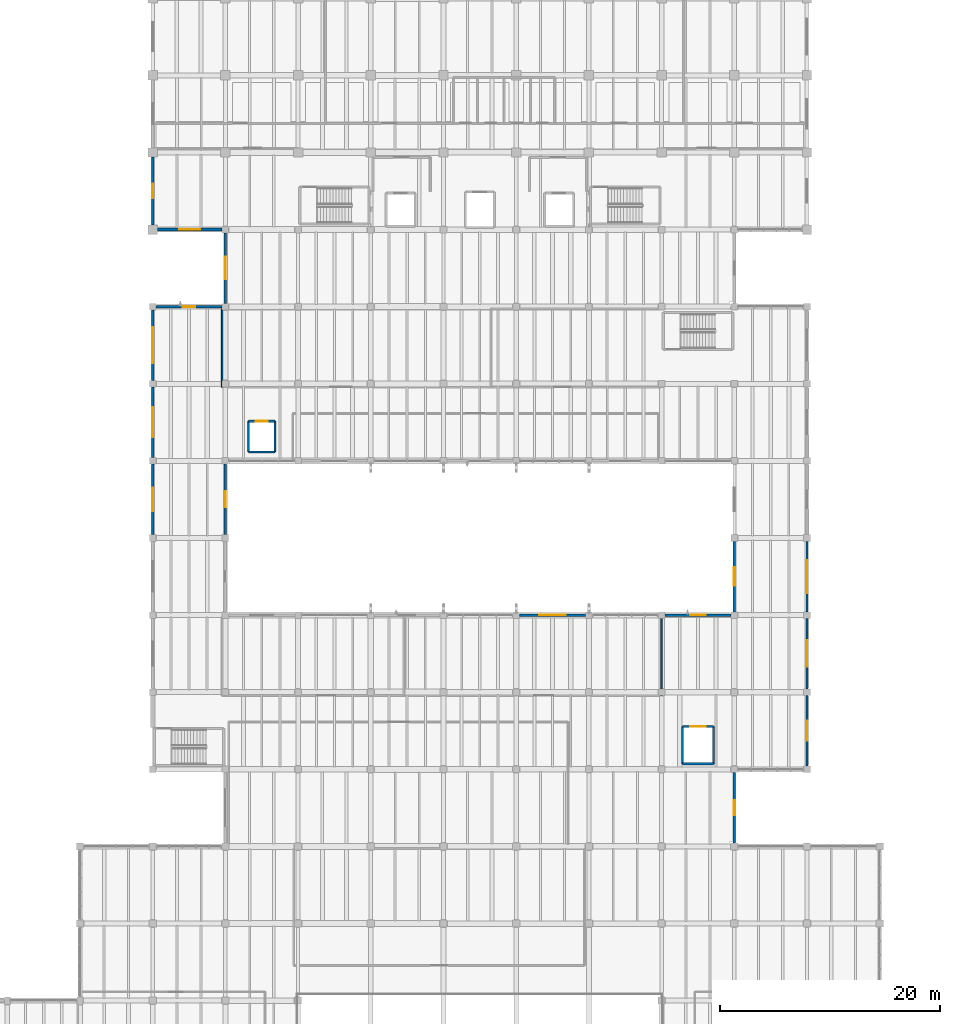
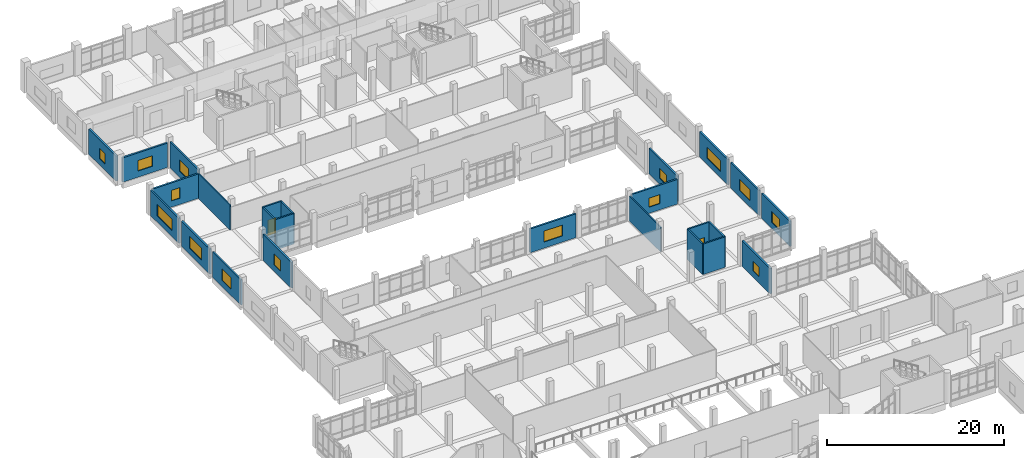
# One storey, part 47 of 68: 25 walls, 15 windows, 2 doors, 17 openings.
"""IFC4 building model written with IfcOpenShell, lengths in metres."""

import ifcopenshell
import ifcopenshell.guid

model = None  # the IFC model being written
_history = None  # IfcOwnerHistory: only IFC2X3 demands one
_inside = {}  # id of a spatial element -> (the spatial element, [elements in it])
_under = {}  # id of a project, library or spatial element -> (it, [spatial elements below it])
_declared = {}  # id of a project -> (the project, [libraries it declares])
_typed = {}  # id of a type object -> (the type object, [elements of that type])
_made_of = {}  # id of a material, layer set ... -> (it, [elements and type objects made of it])


def new_model(schema):
    """Start an empty IFC model of exactly this schema.

    Asked for "IFC4X3", IfcOpenShell would pick the latest addendum, in which some entities
    have other attributes; the version numbers below select the first issue.
    IFC2X3 requires an IfcOwnerHistory on every rooted entity: one is made here for all.
    """
    global model, _history
    if schema == "IFC4X3":
        model = ifcopenshell.file(schema_version=(4, 3, 0, 0))
    else:
        model = ifcopenshell.file(schema=schema)
    _inside.clear()
    _under.clear()
    _declared.clear()
    _typed.clear()
    _made_of.clear()
    _history = None
    if model.schema == "IFC2X3":
        org = make("IfcOrganization", Name="unknown")
        user = make(
            "IfcPersonAndOrganization",
            ThePerson=make("IfcPerson", FamilyName="unknown"),
            TheOrganization=org,
        )
        app = make(
            "IfcApplication",
            ApplicationDeveloper=org,
            Version="unknown",
            ApplicationFullName="unknown",
            ApplicationIdentifier="unknown",
        )
        _history = make(
            "IfcOwnerHistory",
            OwningUser=user,
            OwningApplication=app,
            ChangeAction="ADDED",
            CreationDate=0,
        )
    return model


def make(cls, **values):
    """One entity of the class cls with the attributes given. An attribute that is None is left unset."""
    return model.create_entity(
        cls, **{name: value for name, value in values.items() if value is not None}
    )


def rooted(cls, **values):
    """An entity with a GlobalId (a new one), such as an element, a storey or a relation."""
    return make(cls, GlobalId=ifcopenshell.guid.new(), OwnerHistory=_history, **values)


def si_unit(unit_type, name, prefix=None):
    """IfcSIUnit, for example si_unit("LENGTHUNIT", "METRE", prefix="MILLI")."""
    return make("IfcSIUnit", UnitType=unit_type, Prefix=prefix, Name=name)


def assignment(units):
    """IfcUnitAssignment: the units of a project."""
    return None if units is None else make("IfcUnitAssignment", Units=units)


def point(xyz):
    """IfcCartesianPoint."""
    return None if xyz is None else make("IfcCartesianPoint", Coordinates=xyz)


def direction(xyz):
    """IfcDirection."""
    return None if xyz is None else make("IfcDirection", DirectionRatios=xyz)


def frame(location, z_axis=None, x_axis=None):
    """IfcAxis2Placement3D, a coordinate frame: its origin and axes. An axis left out is left unset."""
    return make(
        "IfcAxis2Placement3D",
        Location=point(location),
        Axis=direction(z_axis),
        RefDirection=direction(x_axis),
    )


def frame_2d(location, x_axis=None):
    """IfcAxis2Placement2D, a coordinate frame in the plane: its origin and x axis."""
    return make(
        "IfcAxis2Placement2D", Location=point(location), RefDirection=direction(x_axis)
    )


def origin():
    """The frame at (0, 0, 0) with its axes left unset."""
    return frame((0.0, 0.0, 0.0))


def place(relative_to, where):
    """IfcLocalPlacement: puts the frame where relative to a parent placement (None: the world)."""
    return make(
        "IfcLocalPlacement", PlacementRelTo=relative_to, RelativePlacement=where
    )


def context(
    kind, dimensions, precision=None, world=None, true_north=None, identifier=None
):
    """IfcGeometricRepresentationContext, for example the 3D "Model" context."""
    return make(
        "IfcGeometricRepresentationContext",
        ContextIdentifier=identifier,
        ContextType=kind,
        CoordinateSpaceDimension=dimensions,
        Precision=precision,
        WorldCoordinateSystem=world,
        TrueNorth=true_north,
    )


def subcontext(parent, identifier, kind, view, scale=None):
    """IfcGeometricRepresentationSubContext, for example "Body" below "Model"."""
    return make(
        "IfcGeometricRepresentationSubContext",
        ContextIdentifier=identifier,
        ContextType=kind,
        ParentContext=parent,
        TargetScale=scale,
        TargetView=view,
    )


def project(units=None, contexts=None):
    """IfcProject with its units and contexts."""
    return rooted(
        "IfcProject",
        Name="project",
        RepresentationContexts=contexts,
        UnitsInContext=assignment(units),
    )


def spatial(cls, under=None, at=None, **own):
    """A site, building, storey or space (cls), placed at a placement, below another one or the project."""
    s = rooted(cls, ObjectPlacement=at, **own)
    if under is not None:
        _under.setdefault(under.id(), (under, []))[1].append(s)
    return s


def profile(cls, at=None, kind="AREA", **sizes):
    """A parametric profile (cls). Its sizes go by their IFC names, for example OverallWidth=200.0."""
    return make(cls, ProfileType=kind, Position=at, **sizes)


def rectangle(**sizes):
    """IfcRectangleProfileDef."""
    return profile("IfcRectangleProfileDef", **sizes)


def extrude(swept, where, along, depth):
    """IfcExtrudedAreaSolid: the profile swept, set in the frame where, extruded along a direction by depth."""
    return make(
        "IfcExtrudedAreaSolid",
        SweptArea=swept,
        Position=where,
        ExtrudedDirection=direction(along),
        Depth=depth,
    )


def shape(context_of_items, identifier, shape_type, items):
    """IfcShapeRepresentation: the items that make up one representation, for example the "Body"."""
    return make(
        "IfcShapeRepresentation",
        ContextOfItems=context_of_items,
        RepresentationIdentifier=identifier,
        RepresentationType=shape_type,
        Items=items,
    )


def material(Name=None, Category=None):
    """IfcMaterial."""
    return make("IfcMaterial", Name=Name, Category=Category)


def layer(
    of_material, thickness, ventilated=None, Name=None, Category=None, Priority=None
):
    """IfcMaterialLayer: one layer of a wall or slab, of a material (None: an air gap)."""
    return make(
        "IfcMaterialLayer",
        Material=of_material,
        LayerThickness=thickness,
        IsVentilated=ventilated,
        Name=Name,
        Category=Category,
        Priority=Priority,
    )


def layer_set(layers, Name=None):
    """IfcMaterialLayerSet."""
    return make("IfcMaterialLayerSet", MaterialLayers=layers, LayerSetName=Name)


def made_of(thing, what):
    """Note that an element or type object is made of a material, layer set ...; save() writes the relation."""
    if what is not None:
        _made_of.setdefault(what.id(), (what, []))[1].append(thing)
    return thing


def type_object(cls, material=None, **own):
    """A type object (cls), such as IfcWallType, which elements share."""
    return made_of(rooted(cls, **own), material)


def element(
    cls,
    number,
    at=None,
    inside=None,
    cuts=None,
    type_object=None,
    material=None,
    context=None,
    identifier="Body",
    shape_type=None,
    held_by="IfcProductDefinitionShape",
    body=None,
    shapes=None,
    **own,
):
    """One element of the class cls, such as IfcWall. Its Tag is "e" and its number.

    at: its placement. inside: the storey or other place that contains it. cuts: it is an
    opening in that element (IfcRelVoidsElement). A single representation is given by context,
    identifier, shape_type and body (its items); several are given by shapes. held_by: the class
    of the entity that holds the representations. save() writes the other relations.
    """
    e = rooted(cls, Tag="e%d" % number, ObjectPlacement=at, **own)
    if body is not None:
        shapes = [shape(context, identifier, shape_type, body)]
    if shapes is not None:
        e.Representation = make(held_by, Representations=shapes)
    if inside is not None:
        _inside.setdefault(inside.id(), (inside, []))[1].append(e)
    if cuts is not None:
        rooted(
            "IfcRelVoidsElement", RelatingBuildingElement=cuts, RelatedOpeningElement=e
        )
    if type_object is not None:
        _typed.setdefault(type_object.id(), (type_object, []))[1].append(e)
    return made_of(e, material)


def fill(opening, filler):
    """IfcRelFillsElement: the door or window that sits in an opening."""
    return rooted(
        "IfcRelFillsElement",
        RelatingOpeningElement=opening,
        RelatedBuildingElement=filler,
    )


def aggregate(whole, parts):
    """IfcRelAggregates: a whole, such as a stair, and the parts it consists of."""
    return rooted("IfcRelAggregates", RelatingObject=whole, RelatedObjects=parts)


def save(model, path):
    """Write the relations noted so far, then the file.

    IfcRelAggregates (storeys below a building ...), IfcRelContainedInSpatialStructure (elements
    in a storey), IfcRelDefinesByType, IfcRelAssociatesMaterial and IfcRelDeclares: one each for
    every whole, place, type object, material and project.
    """
    for whole, parts in _under.values():
        aggregate(whole, parts)
    for where, things in _inside.values():
        rooted(
            "IfcRelContainedInSpatialStructure",
            RelatedElements=things,
            RelatingStructure=where,
        )
    for kind, things in _typed.values():
        rooted("IfcRelDefinesByType", RelatedObjects=things, RelatingType=kind)
    for what, things in _made_of.values():
        rooted("IfcRelAssociatesMaterial", RelatedObjects=things, RelatingMaterial=what)
    for by, libraries in _declared.values():
        rooted("IfcRelDeclares", RelatingContext=by, RelatedDefinitions=libraries)
    model.write(path)


model = new_model("IFC4")

# Units and contexts
model_context = context("Model", 3, precision=1e-05, world=origin(), true_north=direction((0.0, 1.0)))
body_context = subcontext(model_context, "Body", "Model", "MODEL_VIEW")
ifc_project = project(units=[si_unit("LENGTHUNIT", "METRE"), si_unit("AREAUNIT", "SQUARE_METRE"), si_unit("VOLUMEUNIT", "CUBIC_METRE"), si_unit("PLANEANGLEUNIT", "RADIAN"), si_unit("MASSUNIT", "GRAM", prefix="KILO")], contexts=[model_context])

# Site, building, storey
site_placement = place(None, origin())
site = spatial("IfcSite", under=ifc_project, at=site_placement, CompositionType="ELEMENT")
building_placement = place(site_placement, origin())
building = spatial("IfcBuilding", under=site, at=building_placement, Name="Ciguamira Faculty of Natural Sciences", CompositionType="ELEMENT")
storey_placement = place(building_placement, frame((0.0, 0.0, 4.199951171875)))
storey = spatial("IfcBuildingStorey", under=building, at=storey_placement, Name="L01", CompositionType="ELEMENT", Elevation=4.199951171875)

# Wall, opening, window
ifc_material_1 = material(Name="Precast concrete C40/50", Category="concrete")
ifc_layer_1 = layer(ifc_material_1, 0.239990234375, Name="Precast concrete C40/50")
ifc_layer_set_1 = layer_set([ifc_layer_1], Name="Precast concrete C40/50")
wall_type_1 = type_object("IfcWallType", Name="ExtWall_EW-02_240", PredefinedType="SOLIDWALL", material=ifc_layer_set_1)
wall_1_placement = place(storey_placement, frame((57.72509765625, 94.0, 0.0), z_axis=(0.0, 0.0, 1.0), x_axis=(1.0, 0.0, 0.0)))
wall_1 = element("IfcWall", 1, at=wall_1_placement, inside=storey, type_object=wall_type_1, Name="L01 exterior wall 0167", PredefinedType="SOLIDWALL", context=body_context, shape_type="SweptSolid", body=[
    extrude(rectangle(XDim=5.875, YDim=0.239990234375, at=frame_2d((2.9375, 0.0))), origin(), (0.0, 0.0, 1.0), 3.344970703125),
])
opening_1_placement = place(wall_1_placement, frame((1.987548828125, 0.0, 0.85009765625)))
opening_1 = element("IfcOpeningElement", 2, at=opening_1_placement, cuts=wall_1, Name="Opening WT-30", PredefinedType="OPENING", context=body_context, shape_type="SweptSolid", body=[
    extrude(rectangle(XDim=1.89990234375, YDim=1.449951171875, at=frame_2d((0.949951171875, 0.72509765625))), frame((0.0, 0.1298828125, 0.0), z_axis=(0.0, -1.0, 0.0), x_axis=(1.0, 0.0, 0.0)), (0.0, 0.0, 1.0), 0.260009765625),
])
ifc_material_2 = material(Name="Hurricane laminated solar glass", Category="glass")
window_type_1 = type_object("IfcWindowType", Name="Window_WT-30_1900x1450", PartitioningType="DOUBLE_PANEL_VERTICAL", PredefinedType="WINDOW", material=ifc_material_2)
window_1_placement = place(opening_1_placement, origin())
window_1 = element("IfcWindow", 3, at=window_1_placement, inside=storey, type_object=window_type_1, Name="L01 facade window 0083", OverallHeight=1.449951171875, OverallWidth=1.89990234375, PartitioningType="SINGLE_PANEL", PredefinedType="WINDOW", context=body_context, shape_type="SweptSolid", body=[
    extrude(rectangle(XDim=1.89990234375, YDim=1.449951171875, at=frame_2d((0.949951171875, 0.72509765625))), frame((0.0, 0.030029296875, 0.0), z_axis=(0.0, -1.0, 0.0), x_axis=(1.0, 0.0, 0.0)), (0.0, 0.0, 1.0), 0.06005859375),
])
fill(opening_1, window_1)

wall_2_placement = place(storey_placement, frame((57.300048828125, 94.425048828125, 0.0), z_axis=(0.0, 0.0, 1.0), x_axis=(0.0, 1.0, 0.0)))
wall_2 = element("IfcWall", 4, at=wall_2_placement, inside=storey, type_object=wall_type_1, Name="L01 exterior wall 0183", PredefinedType="SOLIDWALL", context=body_context, shape_type="SweptSolid", body=[
    extrude(rectangle(XDim=6.14990234375, YDim=0.239990234375, at=frame_2d((3.074951171875, 0.0))), origin(), (0.0, 0.0, 1.0), 3.465087890625),
])
opening_2_placement = place(wall_2_placement, frame((2.425048828125, 0.0, 0.85009765625)))
opening_2 = element("IfcOpeningElement", 5, at=opening_2_placement, cuts=wall_2, Name="Opening WT-28", PredefinedType="OPENING", context=body_context, shape_type="SweptSolid", body=[
    extrude(rectangle(XDim=1.300048828125, YDim=1.449951171875, at=frame_2d((0.64990234375, 0.72509765625))), frame((0.0, 0.1298828125, 0.0), z_axis=(0.0, -1.0, 0.0), x_axis=(1.0, 0.0, 0.0)), (0.0, 0.0, 1.0), 0.260009765625),
])
window_type_2 = type_object("IfcWindowType", Name="Window_WT-28_1300x1450", PartitioningType="DOUBLE_PANEL_VERTICAL", PredefinedType="WINDOW", material=ifc_material_2)
window_2_placement = place(opening_2_placement, origin())
window_2 = element("IfcWindow", 6, at=window_2_placement, inside=storey, type_object=window_type_2, Name="L01 facade window 0098", OverallHeight=1.449951171875, OverallWidth=1.300048828125, PartitioningType="SINGLE_PANEL", PredefinedType="WINDOW", context=body_context, shape_type="SweptSolid", body=[
    extrude(rectangle(XDim=1.300048828125, YDim=1.449951171875, at=frame_2d((0.64990234375, 0.72509765625))), frame((0.0, 0.030029296875, 0.0), z_axis=(0.0, -1.0, 0.0), x_axis=(1.0, 0.0, 0.0)), (0.0, 0.0, 1.0), 0.06005859375),
])
fill(opening_2, window_2)

ifc_layer_2 = layer(ifc_material_1, 0.219970703125, Name="Precast concrete C40/50")
ifc_layer_set_2 = layer_set([ifc_layer_2], Name="Precast concrete C40/50")
wall_type_2 = type_object("IfcWallType", Name="ExtWall_EW-03_220", PredefinedType="SOLIDWALL", material=ifc_layer_set_2)
wall_3_placement = place(storey_placement, frame((90.60009765625, 59.0, 0.0), z_axis=(0.0, 0.0, 1.0), x_axis=(1.0, 0.0, 0.0)))
wall_3 = element("IfcWall", 7, at=wall_3_placement, inside=storey, type_object=wall_type_2, Name="L01 exterior wall 0161", PredefinedType="SOLIDWALL", context=body_context, shape_type="SweptSolid", body=[
    extrude(rectangle(XDim=6.0, YDim=0.219970703125, at=frame_2d((3.0, 0.0))), origin(), (0.0, 0.0, 1.0), 3.28515625),
])
opening_3_placement = place(wall_3_placement, frame((1.800048828125, 0.0, 0.85009765625)))
opening_3 = element("IfcOpeningElement", 8, at=opening_3_placement, cuts=wall_3, Name="Opening WT-12", PredefinedType="OPENING", context=body_context, shape_type="SweptSolid", body=[
    extrude(rectangle(XDim=2.39990234375, YDim=1.5, at=frame_2d((1.199951171875, 0.75))), frame((0.0, 0.119873046875, 0.0), z_axis=(0.0, -1.0, 0.0), x_axis=(1.0, 0.0, 0.0)), (0.0, 0.0, 1.0), 0.239990234375),
])
window_type_3 = type_object("IfcWindowType", Name="Window_WT-12_2400x1500", PartitioningType="DOUBLE_PANEL_VERTICAL", PredefinedType="WINDOW", material=ifc_material_2)
window_3_placement = place(opening_3_placement, origin())
window_3 = element("IfcWindow", 9, at=window_3_placement, inside=storey, type_object=window_type_3, Name="L01 facade window 0077", OverallHeight=1.5, OverallWidth=2.39990234375, PartitioningType="SINGLE_PANEL", PredefinedType="WINDOW", context=body_context, shape_type="SweptSolid", body=[
    extrude(rectangle(XDim=2.39990234375, YDim=1.5, at=frame_2d((1.199951171875, 0.75))), frame((0.0, 0.030029296875, 0.0), z_axis=(0.0, -1.0, 0.0), x_axis=(1.0, 0.0, 0.0)), (0.0, 0.0, 1.0), 0.06005859375),
])
fill(opening_3, window_3)

wall_4_placement = place(storey_placement, frame((103.800048828125, 59.0, 0.0), z_axis=(0.0, 0.0, 1.0), x_axis=(1.0, 0.0, 0.0)))
wall_4 = element("IfcWall", 10, at=wall_4_placement, inside=storey, type_object=wall_type_2, Name="L01 exterior wall 0162", PredefinedType="SOLIDWALL", context=body_context, shape_type="SweptSolid", body=[
    extrude(rectangle(XDim=6.0, YDim=0.219970703125, at=frame_2d((3.0, 0.0))), origin(), (0.0, 0.0, 1.0), 3.385009765625),
])
opening_4_placement = place(wall_4_placement, frame((2.300048828125, 0.0, 0.85009765625)))
opening_4 = element("IfcOpeningElement", 11, at=opening_4_placement, cuts=wall_4, Name="Opening WT-15", PredefinedType="OPENING", context=body_context, shape_type="SweptSolid", body=[
    extrude(rectangle(XDim=1.39990234375, YDim=1.25, at=frame_2d((0.699951171875, 0.625))), frame((0.0, 0.119873046875, 0.0), z_axis=(0.0, -1.0, 0.0), x_axis=(1.0, 0.0, 0.0)), (0.0, 0.0, 1.0), 0.239990234375),
])
window_type_4 = type_object("IfcWindowType", Name="Window_WT-15_1400x1250", PartitioningType="DOUBLE_PANEL_VERTICAL", PredefinedType="WINDOW", material=ifc_material_2)
window_4_placement = place(opening_4_placement, origin())
window_4 = element("IfcWindow", 12, at=window_4_placement, inside=storey, type_object=window_type_4, Name="L01 facade window 0078", OverallHeight=1.25, OverallWidth=1.39990234375, PartitioningType="SINGLE_PANEL", PredefinedType="WINDOW", context=body_context, shape_type="SweptSolid", body=[
    extrude(rectangle(XDim=1.39990234375, YDim=1.25, at=frame_2d((0.699951171875, 0.625))), frame((0.0, 0.030029296875, 0.0), z_axis=(0.0, -1.0, 0.0), x_axis=(1.0, 0.0, 0.0)), (0.0, 0.0, 1.0), 0.06005859375),
])
fill(opening_4, window_4)

wall_5_placement = place(storey_placement, frame((57.60009765625, 87.0, 0.0), z_axis=(0.0, 0.0, 1.0), x_axis=(1.0, 0.0, 0.0)))
wall_5 = element("IfcWall", 13, at=wall_5_placement, inside=storey, type_object=wall_type_2, Name="L01 exterior wall 0166", PredefinedType="SOLIDWALL", context=body_context, shape_type="SweptSolid", body=[
    extrude(rectangle(XDim=6.0, YDim=0.219970703125, at=frame_2d((3.0, 0.0))), origin(), (0.0, 0.0, 1.0), 3.344970703125),
])
opening_5_placement = place(wall_5_placement, frame((2.449951171875, 0.0, 0.85009765625)))
opening_5 = element("IfcOpeningElement", 14, at=opening_5_placement, cuts=wall_5, Name="Opening WT-27", PredefinedType="OPENING", context=body_context, shape_type="SweptSolid", body=[
    extrude(rectangle(XDim=1.10009765625, YDim=1.449951171875, at=frame_2d((0.550048828125, 0.72509765625))), frame((0.0, 0.119873046875, 0.0), z_axis=(0.0, -1.0, 0.0), x_axis=(1.0, 0.0, 0.0)), (0.0, 0.0, 1.0), 0.239990234375),
])
window_type_5 = type_object("IfcWindowType", Name="Window_WT-27_1100x1450", PartitioningType="DOUBLE_PANEL_VERTICAL", PredefinedType="WINDOW", material=ifc_material_2)
window_5_placement = place(opening_5_placement, origin())
window_5 = element("IfcWindow", 15, at=window_5_placement, inside=storey, type_object=window_type_5, Name="L01 facade window 0082", OverallHeight=1.449951171875, OverallWidth=1.10009765625, PartitioningType="SINGLE_PANEL", PredefinedType="WINDOW", context=body_context, shape_type="SweptSolid", body=[
    extrude(rectangle(XDim=1.10009765625, YDim=1.449951171875, at=frame_2d((0.550048828125, 0.72509765625))), frame((0.0, 0.030029296875, 0.0), z_axis=(0.0, -1.0, 0.0), x_axis=(1.0, 0.0, 0.0)), (0.0, 0.0, 1.0), 0.06005859375),
])
fill(opening_5, window_5)

wall_6_placement = place(storey_placement, frame((57.300048828125, 66.300048828125, 0.0), z_axis=(0.0, 0.0, 1.0), x_axis=(0.0, 1.0, 0.0)))
wall_6 = element("IfcWall", 16, at=wall_6_placement, inside=storey, type_object=wall_type_2, Name="L01 exterior wall 0180", PredefinedType="SOLIDWALL", context=body_context, shape_type="SweptSolid", body=[
    extrude(rectangle(XDim=6.39990234375, YDim=0.219970703125, at=frame_2d((3.199951171875, 0.0))), origin(), (0.0, 0.0, 1.0), 3.465087890625),
])
opening_6_placement = place(wall_6_placement, frame((2.14990234375, 0.0, 0.85009765625)))
opening_6 = element("IfcOpeningElement", 17, at=opening_6_placement, cuts=wall_6, Name="Opening WT-22", PredefinedType="OPENING", context=body_context, shape_type="SweptSolid", body=[
    extrude(rectangle(XDim=2.10009765625, YDim=1.60009765625, at=frame_2d((1.050048828125, 0.800048828125))), frame((0.0, 0.119873046875, 0.0), z_axis=(0.0, -1.0, 0.0), x_axis=(1.0, 0.0, 0.0)), (0.0, 0.0, 1.0), 0.239990234375),
])
window_type_6 = type_object("IfcWindowType", Name="Window_WT-22_2100x1600", PartitioningType="DOUBLE_PANEL_VERTICAL", PredefinedType="WINDOW", material=ifc_material_2)
window_6_placement = place(opening_6_placement, origin())
window_6 = element("IfcWindow", 18, at=window_6_placement, inside=storey, type_object=window_type_6, Name="L01 facade window 0095", OverallHeight=1.60009765625, OverallWidth=2.10009765625, PartitioningType="SINGLE_PANEL", PredefinedType="WINDOW", context=body_context, shape_type="SweptSolid", body=[
    extrude(rectangle(XDim=2.10009765625, YDim=1.60009765625, at=frame_2d((1.050048828125, 0.800048828125))), frame((0.0, 0.030029296875, 0.0), z_axis=(0.0, -1.0, 0.0), x_axis=(1.0, 0.0, 0.0)), (0.0, 0.0, 1.0), 0.06005859375),
])
fill(opening_6, window_6)

wall_7_placement = place(storey_placement, frame((57.300048828125, 73.300048828125, 0.0), z_axis=(0.0, 0.0, 1.0), x_axis=(0.0, 1.0, 0.0)))
wall_7 = element("IfcWall", 19, at=wall_7_placement, inside=storey, type_object=wall_type_2, Name="L01 exterior wall 0181", PredefinedType="SOLIDWALL", context=body_context, shape_type="SweptSolid", body=[
    extrude(rectangle(XDim=6.39990234375, YDim=0.219970703125, at=frame_2d((3.199951171875, 0.0))), origin(), (0.0, 0.0, 1.0), 3.465087890625),
])
opening_7_placement = place(wall_7_placement, frame((1.85009765625, 0.0, 0.85009765625)))
opening_7 = element("IfcOpeningElement", 20, at=opening_7_placement, cuts=wall_7, Name="Opening WT-24", PredefinedType="OPENING", context=body_context, shape_type="SweptSolid", body=[
    extrude(rectangle(XDim=2.699951171875, YDim=1.60009765625, at=frame_2d((1.35009765625, 0.800048828125))), frame((0.0, 0.119873046875, 0.0), z_axis=(0.0, -1.0, 0.0), x_axis=(1.0, 0.0, 0.0)), (0.0, 0.0, 1.0), 0.239990234375),
])
window_type_7 = type_object("IfcWindowType", Name="Window_WT-24_2700x1600", PartitioningType="DOUBLE_PANEL_VERTICAL", PredefinedType="WINDOW", material=ifc_material_2)
window_7_placement = place(opening_7_placement, origin())
window_7 = element("IfcWindow", 21, at=window_7_placement, inside=storey, type_object=window_type_7, Name="L01 facade window 0096", OverallHeight=1.60009765625, OverallWidth=2.699951171875, PartitioningType="SINGLE_PANEL", PredefinedType="WINDOW", context=body_context, shape_type="SweptSolid", body=[
    extrude(rectangle(XDim=2.699951171875, YDim=1.60009765625, at=frame_2d((1.35009765625, 0.800048828125))), frame((0.0, 0.030029296875, 0.0), z_axis=(0.0, -1.0, 0.0), x_axis=(1.0, 0.0, 0.0)), (0.0, 0.0, 1.0), 0.06005859375),
])
fill(opening_7, window_7)

wall_8_placement = place(storey_placement, frame((57.300048828125, 80.300048828125, 0.0), z_axis=(0.0, 0.0, 1.0), x_axis=(0.0, 1.0, 0.0)))
wall_8 = element("IfcWall", 22, at=wall_8_placement, inside=storey, type_object=wall_type_2, Name="L01 exterior wall 0182", PredefinedType="SOLIDWALL", context=body_context, shape_type="SweptSolid", body=[
    extrude(rectangle(XDim=6.39990234375, YDim=0.219970703125, at=frame_2d((3.199951171875, 0.0))), origin(), (0.0, 0.0, 1.0), 3.465087890625),
])
opening_8_placement = place(wall_8_placement, frame((1.550048828125, 0.0, 0.85009765625)))
opening_8 = element("IfcOpeningElement", 23, at=opening_8_placement, cuts=wall_8, Name="Opening WT-26", PredefinedType="OPENING", context=body_context, shape_type="SweptSolid", body=[
    extrude(rectangle(XDim=3.300048828125, YDim=1.60009765625, at=frame_2d((1.64990234375, 0.800048828125))), frame((0.0, 0.119873046875, 0.0), z_axis=(0.0, -1.0, 0.0), x_axis=(1.0, 0.0, 0.0)), (0.0, 0.0, 1.0), 0.239990234375),
])
window_type_8 = type_object("IfcWindowType", Name="Window_WT-26_3300x1600", PartitioningType="DOUBLE_PANEL_VERTICAL", PredefinedType="WINDOW", material=ifc_material_2)
window_8_placement = place(opening_8_placement, origin())
window_8 = element("IfcWindow", 24, at=window_8_placement, inside=storey, type_object=window_type_8, Name="L01 facade window 0097", OverallHeight=1.60009765625, OverallWidth=3.300048828125, PartitioningType="SINGLE_PANEL", PredefinedType="WINDOW", context=body_context, shape_type="SweptSolid", body=[
    extrude(rectangle(XDim=3.300048828125, YDim=1.60009765625, at=frame_2d((1.64990234375, 0.800048828125))), frame((0.0, 0.030029296875, 0.0), z_axis=(0.0, -1.0, 0.0), x_axis=(1.0, 0.0, 0.0)), (0.0, 0.0, 1.0), 0.06005859375),
])
fill(opening_8, window_8)

wall_9_placement = place(storey_placement, frame((63.89990234375, 66.300048828125, 0.0), z_axis=(0.0, 0.0, 1.0), x_axis=(0.0, 1.0, 0.0)))
wall_9 = element("IfcWall", 25, at=wall_9_placement, inside=storey, type_object=wall_type_2, Name="L01 exterior wall 0188", PredefinedType="SOLIDWALL", context=body_context, shape_type="SweptSolid", body=[
    extrude(rectangle(XDim=6.39990234375, YDim=0.219970703125, at=frame_2d((3.199951171875, 0.0))), origin(), (0.0, 0.0, 1.0), 3.56494140625),
])
opening_9_placement = place(wall_9_placement, frame((2.47509765625, 0.0, 0.85009765625)))
opening_9 = element("IfcOpeningElement", 26, at=opening_9_placement, cuts=wall_9, Name="Opening WT-38", PredefinedType="OPENING", context=body_context, shape_type="SweptSolid", body=[
    extrude(rectangle(XDim=1.449951171875, YDim=1.550048828125, at=frame_2d((0.72509765625, 0.77490234375))), frame((0.0, 0.119873046875, 0.0), z_axis=(0.0, -1.0, 0.0), x_axis=(1.0, 0.0, 0.0)), (0.0, 0.0, 1.0), 0.239990234375),
])
window_type_9 = type_object("IfcWindowType", Name="Window_WT-38_1450x1550", PartitioningType="DOUBLE_PANEL_VERTICAL", PredefinedType="WINDOW", material=ifc_material_2)
window_9_placement = place(opening_9_placement, origin())
window_9 = element("IfcWindow", 27, at=window_9_placement, inside=storey, type_object=window_type_9, Name="L01 facade window 0103", OverallHeight=1.550048828125, OverallWidth=1.449951171875, PartitioningType="SINGLE_PANEL", PredefinedType="WINDOW", context=body_context, shape_type="SweptSolid", body=[
    extrude(rectangle(XDim=1.449951171875, YDim=1.550048828125, at=frame_2d((0.72509765625, 0.77490234375))), frame((0.0, 0.030029296875, 0.0), z_axis=(0.0, -1.0, 0.0), x_axis=(1.0, 0.0, 0.0)), (0.0, 0.0, 1.0), 0.06005859375),
])
fill(opening_9, window_9)

wall_10_placement = place(storey_placement, frame((63.89990234375, 87.300048828125, 0.0), z_axis=(0.0, 0.0, 1.0), x_axis=(0.0, 1.0, 0.0)))
wall_10 = element("IfcWall", 28, at=wall_10_placement, inside=storey, type_object=wall_type_2, Name="L01 exterior wall 0189", PredefinedType="SOLIDWALL", context=body_context, shape_type="SweptSolid", body=[
    extrude(rectangle(XDim=6.39990234375, YDim=0.219970703125, at=frame_2d((3.199951171875, 0.0))), origin(), (0.0, 0.0, 1.0), 3.56494140625),
])
opening_10_placement = place(wall_10_placement, frame((2.175048828125, 0.0, 0.85009765625)))
opening_10 = element("IfcOpeningElement", 29, at=opening_10_placement, cuts=wall_10, Name="Opening WT-40", PredefinedType="OPENING", context=body_context, shape_type="SweptSolid", body=[
    extrude(rectangle(XDim=2.050048828125, YDim=1.550048828125, at=frame_2d((1.02490234375, 0.77490234375))), frame((0.0, 0.119873046875, 0.0), z_axis=(0.0, -1.0, 0.0), x_axis=(1.0, 0.0, 0.0)), (0.0, 0.0, 1.0), 0.239990234375),
])
window_type_10 = type_object("IfcWindowType", Name="Window_WT-40_2050x1550", PartitioningType="DOUBLE_PANEL_VERTICAL", PredefinedType="WINDOW", material=ifc_material_2)
window_10_placement = place(opening_10_placement, origin())
window_10 = element("IfcWindow", 30, at=window_10_placement, inside=storey, type_object=window_type_10, Name="L01 facade window 0104", OverallHeight=1.550048828125, OverallWidth=2.050048828125, PartitioningType="SINGLE_PANEL", PredefinedType="WINDOW", context=body_context, shape_type="SweptSolid", body=[
    extrude(rectangle(XDim=2.050048828125, YDim=1.550048828125, at=frame_2d((1.02490234375, 0.77490234375))), frame((0.0, 0.030029296875, 0.0), z_axis=(0.0, -1.0, 0.0), x_axis=(1.0, 0.0, 0.0)), (0.0, 0.0, 1.0), 0.06005859375),
])
fill(opening_10, window_10)

wall_11_placement = place(storey_placement, frame((110.10009765625, 38.324951171875, 0.0), z_axis=(0.0, 0.0, 1.0), x_axis=(0.0, 1.0, 0.0)))
wall_11 = element("IfcWall", 31, at=wall_11_placement, inside=storey, type_object=wall_type_2, Name="L01 exterior wall 0190", PredefinedType="SOLIDWALL", context=body_context, shape_type="SweptSolid", body=[
    extrude(rectangle(XDim=6.375, YDim=0.219970703125, at=frame_2d((3.1875, 0.0))), origin(), (0.0, 0.0, 1.0), 3.505126953125),
])
opening_11_placement = place(wall_11_placement, frame((2.512451171875, 0.0, 0.85009765625)))
opening_11 = element("IfcOpeningElement", 32, at=opening_11_placement, cuts=wall_11, Name="Opening WT-02", PredefinedType="OPENING", context=body_context, shape_type="SweptSolid", body=[
    extrude(rectangle(XDim=1.35009765625, YDim=1.35009765625, at=frame_2d((0.675048828125, 0.675048828125))), frame((0.0, 0.119873046875, 0.0), z_axis=(0.0, -1.0, 0.0), x_axis=(1.0, 0.0, 0.0)), (0.0, 0.0, 1.0), 0.239990234375),
])
window_type_11 = type_object("IfcWindowType", Name="Window_WT-02_1350x1350", PartitioningType="DOUBLE_PANEL_VERTICAL", PredefinedType="WINDOW", material=ifc_material_2)
window_11_placement = place(opening_11_placement, origin())
window_11 = element("IfcWindow", 33, at=window_11_placement, inside=storey, type_object=window_type_11, Name="L01 facade window 0105", OverallHeight=1.35009765625, OverallWidth=1.35009765625, PartitioningType="SINGLE_PANEL", PredefinedType="WINDOW", context=body_context, shape_type="SweptSolid", body=[
    extrude(rectangle(XDim=1.35009765625, YDim=1.35009765625, at=frame_2d((0.675048828125, 0.675048828125))), frame((0.0, 0.030029296875, 0.0), z_axis=(0.0, -1.0, 0.0), x_axis=(1.0, 0.0, 0.0)), (0.0, 0.0, 1.0), 0.06005859375),
])
fill(opening_11, window_11)

wall_12_placement = place(storey_placement, frame((110.10009765625, 59.300048828125, 0.0), z_axis=(0.0, 0.0, 1.0), x_axis=(0.0, 1.0, 0.0)))
wall_12 = element("IfcWall", 34, at=wall_12_placement, inside=storey, type_object=wall_type_2, Name="L01 exterior wall 0191", PredefinedType="SOLIDWALL", context=body_context, shape_type="SweptSolid", body=[
    extrude(rectangle(XDim=6.39990234375, YDim=0.219970703125, at=frame_2d((3.199951171875, 0.0))), origin(), (0.0, 0.0, 1.0), 3.505126953125),
])
opening_12_placement = place(wall_12_placement, frame((2.375, 0.0, 0.85009765625)))
opening_12 = element("IfcOpeningElement", 35, at=opening_12_placement, cuts=wall_12, Name="Opening WT-04", PredefinedType="OPENING", context=body_context, shape_type="SweptSolid", body=[
    extrude(rectangle(XDim=1.64990234375, YDim=1.35009765625, at=frame_2d((0.824951171875, 0.675048828125))), frame((0.0, 0.119873046875, 0.0), z_axis=(0.0, -1.0, 0.0), x_axis=(1.0, 0.0, 0.0)), (0.0, 0.0, 1.0), 0.239990234375),
])
window_type_12 = type_object("IfcWindowType", Name="Window_WT-04_1650x1350", PartitioningType="DOUBLE_PANEL_VERTICAL", PredefinedType="WINDOW", material=ifc_material_2)
window_12_placement = place(opening_12_placement, origin())
window_12 = element("IfcWindow", 36, at=window_12_placement, inside=storey, type_object=window_type_12, Name="L01 facade window 0106", OverallHeight=1.35009765625, OverallWidth=1.64990234375, PartitioningType="SINGLE_PANEL", PredefinedType="WINDOW", context=body_context, shape_type="SweptSolid", body=[
    extrude(rectangle(XDim=1.64990234375, YDim=1.35009765625, at=frame_2d((0.824951171875, 0.675048828125))), frame((0.0, 0.030029296875, 0.0), z_axis=(0.0, -1.0, 0.0), x_axis=(1.0, 0.0, 0.0)), (0.0, 0.0, 1.0), 0.06005859375),
])
fill(opening_12, window_12)

wall_13_placement = place(storey_placement, frame((116.699951171875, 45.300048828125, 0.0), z_axis=(0.0, 0.0, 1.0), x_axis=(0.0, 1.0, 0.0)))
wall_13 = element("IfcWall", 37, at=wall_13_placement, inside=storey, type_object=wall_type_2, Name="L01 exterior wall 0194", PredefinedType="SOLIDWALL", context=body_context, shape_type="SweptSolid", body=[
    extrude(rectangle(XDim=6.39990234375, YDim=0.219970703125, at=frame_2d((3.199951171875, 0.0))), origin(), (0.0, 0.0, 1.0), 3.465087890625),
])
opening_13_placement = place(wall_13_placement, frame((2.300048828125, 0.0, 0.85009765625)))
opening_13 = element("IfcOpeningElement", 38, at=opening_13_placement, cuts=wall_13, Name="Opening WT-10", PredefinedType="OPENING", context=body_context, shape_type="SweptSolid", body=[
    extrude(rectangle(XDim=1.800048828125, YDim=1.5, at=frame_2d((0.89990234375, 0.75))), frame((0.0, 0.119873046875, 0.0), z_axis=(0.0, -1.0, 0.0), x_axis=(1.0, 0.0, 0.0)), (0.0, 0.0, 1.0), 0.239990234375),
])
window_type_13 = type_object("IfcWindowType", Name="Window_WT-10_1800x1500", PartitioningType="DOUBLE_PANEL_VERTICAL", PredefinedType="WINDOW", material=ifc_material_2)
window_13_placement = place(opening_13_placement, origin())
window_13 = element("IfcWindow", 39, at=window_13_placement, inside=storey, type_object=window_type_13, Name="L01 facade window 0109", OverallHeight=1.5, OverallWidth=1.800048828125, PartitioningType="SINGLE_PANEL", PredefinedType="WINDOW", context=body_context, shape_type="SweptSolid", body=[
    extrude(rectangle(XDim=1.800048828125, YDim=1.5, at=frame_2d((0.89990234375, 0.75))), frame((0.0, 0.030029296875, 0.0), z_axis=(0.0, -1.0, 0.0), x_axis=(1.0, 0.0, 0.0)), (0.0, 0.0, 1.0), 0.06005859375),
])
fill(opening_13, window_13)

wall_14_placement = place(storey_placement, frame((116.699951171875, 52.300048828125, 0.0), z_axis=(0.0, 0.0, 1.0), x_axis=(0.0, 1.0, 0.0)))
wall_14 = element("IfcWall", 40, at=wall_14_placement, inside=storey, type_object=wall_type_2, Name="L01 exterior wall 0195", PredefinedType="SOLIDWALL", context=body_context, shape_type="SweptSolid", body=[
    extrude(rectangle(XDim=6.39990234375, YDim=0.219970703125, at=frame_2d((3.199951171875, 0.0))), origin(), (0.0, 0.0, 1.0), 3.465087890625),
])
opening_14_placement = place(wall_14_placement, frame((2.0, 0.0, 0.85009765625)))
opening_14 = element("IfcOpeningElement", 41, at=opening_14_placement, cuts=wall_14, Name="Opening WT-12", PredefinedType="OPENING", context=body_context, shape_type="SweptSolid", body=[
    extrude(rectangle(XDim=2.39990234375, YDim=1.5, at=frame_2d((1.199951171875, 0.75))), frame((0.0, 0.119873046875, 0.0), z_axis=(0.0, -1.0, 0.0), x_axis=(1.0, 0.0, 0.0)), (0.0, 0.0, 1.0), 0.239990234375),
])
window_14_placement = place(opening_14_placement, origin())
window_14 = element("IfcWindow", 42, at=window_14_placement, inside=storey, type_object=window_type_3, Name="L01 facade window 0110", OverallHeight=1.5, OverallWidth=2.39990234375, PartitioningType="SINGLE_PANEL", PredefinedType="WINDOW", context=body_context, shape_type="SweptSolid", body=[
    extrude(rectangle(XDim=2.39990234375, YDim=1.5, at=frame_2d((1.199951171875, 0.75))), frame((0.0, 0.030029296875, 0.0), z_axis=(0.0, -1.0, 0.0), x_axis=(1.0, 0.0, 0.0)), (0.0, 0.0, 1.0), 0.06005859375),
])
fill(opening_14, window_14)

wall_15_placement = place(storey_placement, frame((116.699951171875, 59.300048828125, 0.0), z_axis=(0.0, 0.0, 1.0), x_axis=(0.0, 1.0, 0.0)))
wall_15 = element("IfcWall", 43, at=wall_15_placement, inside=storey, type_object=wall_type_2, Name="L01 exterior wall 0196", PredefinedType="SOLIDWALL", context=body_context, shape_type="SweptSolid", body=[
    extrude(rectangle(XDim=6.39990234375, YDim=0.219970703125, at=frame_2d((3.199951171875, 0.0))), origin(), (0.0, 0.0, 1.0), 3.465087890625),
])
opening_15_placement = place(wall_15_placement, frame((1.699951171875, 0.0, 0.85009765625)))
opening_15 = element("IfcOpeningElement", 44, at=opening_15_placement, cuts=wall_15, Name="Opening WT-14", PredefinedType="OPENING", context=body_context, shape_type="SweptSolid", body=[
    extrude(rectangle(XDim=3.0, YDim=1.5, at=frame_2d((1.5, 0.75))), frame((0.0, 0.119873046875, 0.0), z_axis=(0.0, -1.0, 0.0), x_axis=(1.0, 0.0, 0.0)), (0.0, 0.0, 1.0), 0.239990234375),
])
window_type_14 = type_object("IfcWindowType", Name="Window_WT-14_3000x1500", PartitioningType="DOUBLE_PANEL_VERTICAL", PredefinedType="WINDOW", material=ifc_material_2)
window_15_placement = place(opening_15_placement, origin())
window_15 = element("IfcWindow", 45, at=window_15_placement, inside=storey, type_object=window_type_14, Name="L01 facade window 0111", OverallHeight=1.5, OverallWidth=3.0, PartitioningType="SINGLE_PANEL", PredefinedType="WINDOW", context=body_context, shape_type="SweptSolid", body=[
    extrude(rectangle(XDim=3.0, YDim=1.5, at=frame_2d((1.5, 0.75))), frame((0.0, 0.030029296875, 0.0), z_axis=(0.0, -1.0, 0.0), x_axis=(1.0, 0.0, 0.0)), (0.0, 0.0, 1.0), 0.06005859375),
])
fill(opening_15, window_15)

# Wall
ifc_material_3 = material(Name="Concrete C40/50", Category="concrete")
ifc_layer_3 = layer(ifc_material_3, 0.199951171875, Name="Concrete C40/50")
ifc_layer_set_3 = layer_set([ifc_layer_3], Name="Concrete C40/50")
wall_type_3 = type_object("IfcWallType", Name="IntWall_CW-S20_200", PredefinedType="SHEAR", material=ifc_layer_set_3)
wall_16_placement = place(storey_placement, frame((66.0, 73.800048828125, 0.0), z_axis=(0.0, 0.0, 1.0), x_axis=(1.0, 0.0, 0.0)))
element("IfcWall", 46, at=wall_16_placement, inside=storey, type_object=wall_type_3, Name="L01 EL-P4 hoistway wall south", PredefinedType="SHEAR", context=body_context, shape_type="SweptSolid", body=[
    extrude(rectangle(XDim=2.39990234375, YDim=0.199951171875, at=frame_2d((1.199951171875, 0.0))), origin(), (0.0, 0.0, 1.0), 4.199951171875),
])

# Wall, opening, door
wall_17_placement = place(storey_placement, frame((66.0, 76.60009765625, 0.0), z_axis=(0.0, 0.0, 1.0), x_axis=(1.0, 0.0, 0.0)))
wall_17 = element("IfcWall", 47, at=wall_17_placement, inside=storey, type_object=wall_type_3, Name="L01 EL-P4 hoistway wall north", PredefinedType="SHEAR", context=body_context, shape_type="SweptSolid", body=[
    extrude(rectangle(XDim=2.39990234375, YDim=0.199951171875, at=frame_2d((1.199951171875, 0.0))), origin(), (0.0, 0.0, 1.0), 4.199951171875),
])
opening_16_placement = place(wall_17_placement, frame((0.64990234375, 0.0, 0.0)))
opening_16 = element("IfcOpeningElement", 48, at=opening_16_placement, cuts=wall_17, Name="Opening LD-01", PredefinedType="OPENING", context=body_context, shape_type="SweptSolid", body=[
    extrude(rectangle(XDim=1.10009765625, YDim=2.14990234375, at=frame_2d((0.550048828125, 1.074951171875))), frame((0.0, 0.10986328125, 0.0), z_axis=(0.0, -1.0, 0.0), x_axis=(1.0, 0.0, 0.0)), (0.0, 0.0, 1.0), 0.219970703125),
])
ifc_material_4 = material(Name="Passenger elevator sliding landing door")
door_type_1 = type_object("IfcDoorType", Name="LiftLandingDoor_LD-01_1100x2150", OperationType="SLIDING_TO_LEFT", PredefinedType="DOOR", material=ifc_material_4)
door_1_placement = place(opening_16_placement, origin())
door_1 = element("IfcDoor", 49, at=door_1_placement, inside=storey, type_object=door_type_1, Name="L01 EL-P4 elevator landing sliding door", OperationType="SLIDING_TO_LEFT", OverallHeight=2.14990234375, OverallWidth=1.10009765625, PredefinedType="DOOR", context=body_context, shape_type="SweptSolid", body=[
    extrude(rectangle(XDim=1.10009765625, YDim=2.14990234375, at=frame_2d((0.550048828125, 1.074951171875))), frame((0.0, 0.02490234375, 0.0), z_axis=(0.0, -1.0, 0.0), x_axis=(1.0, 0.0, 0.0)), (0.0, 0.0, 1.0), 0.050048828125),
])
fill(opening_16, door_1)

# Walls
for number, where, z_axis, x_axis, name in (
    (50, (66.0, 73.800048828125, 0.0), (0.0, 0.0, 1.0), (0.0, 1.0, 0.0), "L01 EL-P4 hoistway wall west"),
    (51, (68.39990234375, 73.800048828125, 0.0), (0.0, 0.0, 1.0), (0.0, 1.0, 0.0), "L01 EL-P4 hoistway wall east"),
    (52, (105.39990234375, 45.5, 0.0), (0.0, 0.0, 1.0), (1.0, 0.0, 0.0), "L01 EL-G1 hoistway wall south"),
):
    element("IfcWall", number, at=place(storey_placement, frame(where, z_axis=z_axis, x_axis=x_axis)), inside=storey, type_object=wall_type_3, Name=name, PredefinedType="SHEAR", context=body_context, shape_type="SweptSolid", body=[
        extrude(rectangle(XDim=2.800048828125, YDim=0.199951171875, at=frame_2d((1.39990234375, 0.0))), origin(), (0.0, 0.0, 1.0), 4.199951171875),
    ])

# Wall, opening, door
wall_18_placement = place(storey_placement, frame((105.39990234375, 48.89990234375, 0.0), z_axis=(0.0, 0.0, 1.0), x_axis=(1.0, 0.0, 0.0)))
wall_18 = element("IfcWall", 53, at=wall_18_placement, inside=storey, type_object=wall_type_3, Name="L01 EL-G1 hoistway wall north", PredefinedType="SHEAR", context=body_context, shape_type="SweptSolid", body=[
    extrude(rectangle(XDim=2.800048828125, YDim=0.199951171875, at=frame_2d((1.39990234375, 0.0))), origin(), (0.0, 0.0, 1.0), 4.199951171875),
])
opening_17_placement = place(wall_18_placement, frame((0.699951171875, 0.0, 0.0)))
opening_17 = element("IfcOpeningElement", 54, at=opening_17_placement, cuts=wall_18, Name="Opening LD-04", PredefinedType="OPENING", context=body_context, shape_type="SweptSolid", body=[
    extrude(rectangle(XDim=1.39990234375, YDim=2.300048828125, at=frame_2d((0.699951171875, 1.14990234375))), frame((0.0, 0.10986328125, 0.0), z_axis=(0.0, -1.0, 0.0), x_axis=(1.0, 0.0, 0.0)), (0.0, 0.0, 1.0), 0.219970703125),
])
ifc_material_5 = material(Name="Specimen service lift sliding landing door")
door_type_2 = type_object("IfcDoorType", Name="LiftLandingDoor_LD-04_1400x2300", OperationType="SLIDING_TO_LEFT", PredefinedType="DOOR", material=ifc_material_5)
door_2_placement = place(opening_17_placement, origin())
door_2 = element("IfcDoor", 55, at=door_2_placement, inside=storey, type_object=door_type_2, Name="L01 EL-G1 elevator landing sliding door", OperationType="SLIDING_TO_LEFT", OverallHeight=2.300048828125, OverallWidth=1.39990234375, PredefinedType="DOOR", context=body_context, shape_type="SweptSolid", body=[
    extrude(rectangle(XDim=1.39990234375, YDim=2.300048828125, at=frame_2d((0.699951171875, 1.14990234375))), frame((0.0, 0.02490234375, 0.0), z_axis=(0.0, -1.0, 0.0), x_axis=(1.0, 0.0, 0.0)), (0.0, 0.0, 1.0), 0.050048828125),
])
fill(opening_17, door_2)

# Walls
for number, where, z_axis, x_axis, name in (
    (56, (105.39990234375, 45.5, 0.0), (0.0, 0.0, 1.0), (0.0, 1.0, 0.0), "L01 EL-G1 hoistway wall west"),
    (57, (108.199951171875, 45.5, 0.0), (0.0, 0.0, 1.0), (0.0, 1.0, 0.0), "L01 EL-G1 hoistway wall east"),
):
    element("IfcWall", number, at=place(storey_placement, frame(where, z_axis=z_axis, x_axis=x_axis)), inside=storey, type_object=wall_type_3, Name=name, PredefinedType="SHEAR", context=body_context, shape_type="SweptSolid", body=[
        extrude(rectangle(XDim=3.39990234375, YDim=0.199951171875, at=frame_2d((1.699951171875, 0.0))), origin(), (0.0, 0.0, 1.0), 4.199951171875),
    ])
ifc_material_6 = material(Name="Acoustic laboratory corridor partition")
ifc_layer_4 = layer(ifc_material_6, 0.14990234375, Name="Acoustic laboratory corridor partition")
ifc_layer_set_4 = layer_set([ifc_layer_4], Name="Acoustic laboratory corridor partition")
wall_type_4 = type_object("IfcWallType", Name="IntWall_IW-G15_150", PredefinedType="PARTITIONING", material=ifc_layer_set_4)
wall_19_placement = place(storey_placement, frame((103.5, 51.699951171875, 0.0), z_axis=(0.0, 0.0, 1.0), x_axis=(0.0, 1.0, 0.0)))
element("IfcWall", 58, at=wall_19_placement, inside=storey, type_object=wall_type_4, Name="L01 Microbiology Teaching Laboratory partition east", PredefinedType="PARTITIONING", context=body_context, shape_type="SweptSolid", body=[
    extrude(rectangle(XDim=7.10009765625, YDim=0.14990234375, at=frame_2d((3.550048828125, 0.0))), origin(), (0.0, 0.0, 1.0), 3.405029296875),
])
ifc_material_7 = material(Name="Moisture-resistant service chase wall")
ifc_layer_5 = layer(ifc_material_7, 0.139892578125, Name="Moisture-resistant service chase wall")
ifc_layer_set_5 = layer_set([ifc_layer_5], Name="Moisture-resistant service chase wall")
wall_type_5 = type_object("IfcWallType", Name="IntWall_IW-P14_140", PredefinedType="PLUMBINGWALL", material=ifc_layer_set_5)
wall_20_placement = place(storey_placement, frame((63.60009765625, 79.699951171875, 0.0), z_axis=(0.0, 0.0, 1.0), x_axis=(0.0, 1.0, 0.0)))
element("IfcWall", 59, at=wall_20_placement, inside=storey, type_object=wall_type_5, Name="L01 Marine Ecology Wet Laboratory partition west", PredefinedType="PLUMBINGWALL", context=body_context, shape_type="SweptSolid", body=[
    extrude(rectangle(XDim=7.10009765625, YDim=0.139892578125, at=frame_2d((3.550048828125, 0.0))), origin(), (0.0, 0.0, 1.0), 3.445068359375),
])

save(model, "model.ifc")
